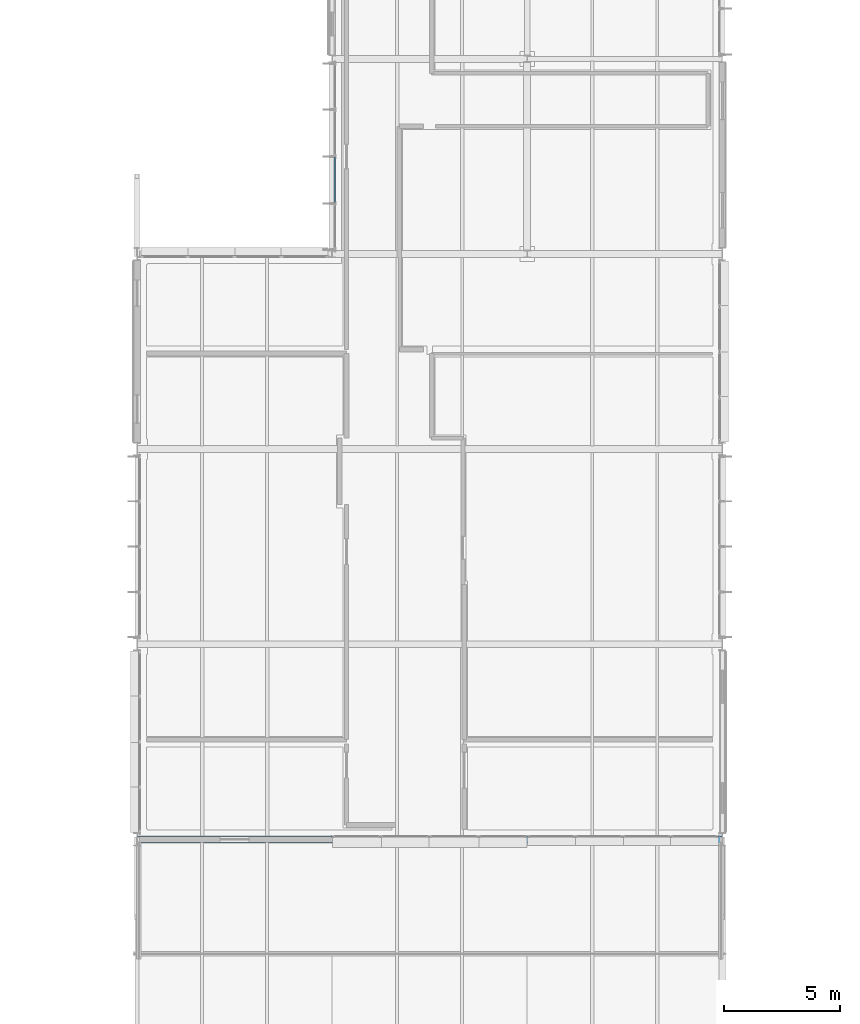
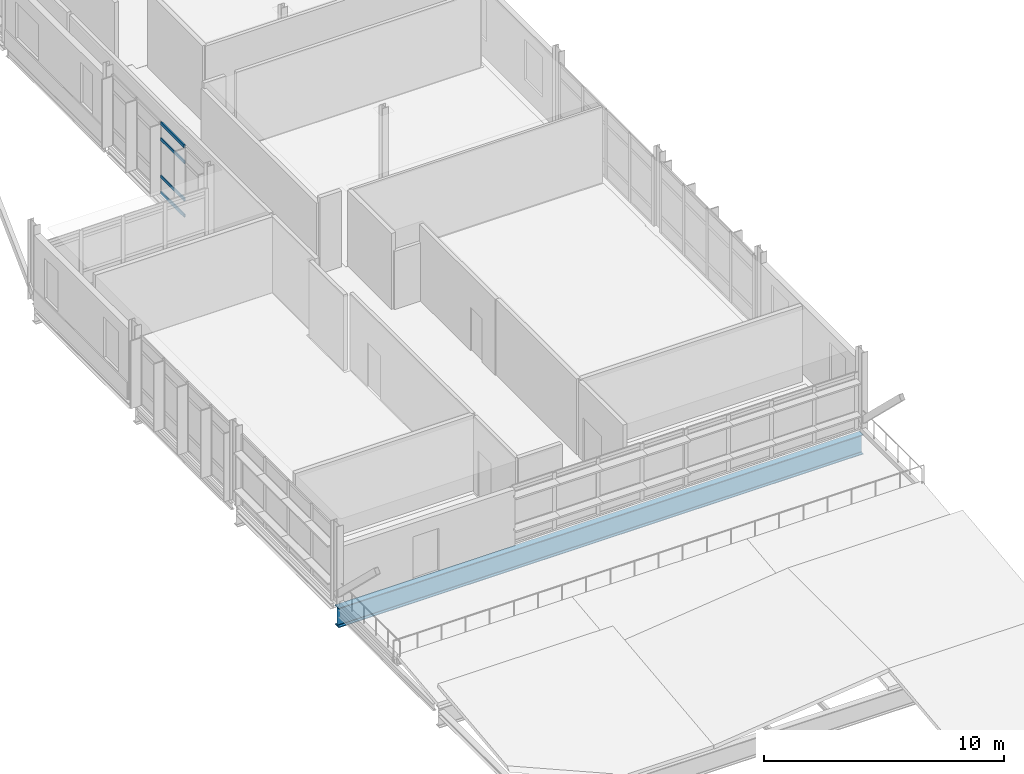
# One storey, part 32 of 103: 4 members, 1 beam, 1 element without a shape of its own.
"""IFC4 building model written with IfcOpenShell, lengths in metres."""

from ifc_helpers import new_model, si_unit, direction, frame, origin, origin_2d, place, context, subcontext, project, spatial, hollow_rectangle, i_section, extrude, material, material_profile, profile_set, type_object, element, aggregate, save


model = new_model("IFC4")

# Units and contexts
model_context = context("Model", 3, precision=1e-05, world=origin(), true_north=direction((0.0, 1.0)))
body_context = subcontext(model_context, "Body", "Model", "MODEL_VIEW")
ifc_project = project(units=[si_unit("LENGTHUNIT", "METRE"), si_unit("AREAUNIT", "SQUARE_METRE"), si_unit("VOLUMEUNIT", "CUBIC_METRE"), si_unit("PLANEANGLEUNIT", "RADIAN"), si_unit("MASSUNIT", "GRAM", prefix="KILO")], contexts=[model_context])

# Site, building, storey
site_placement = place(None, origin())
site = spatial("IfcSite", under=ifc_project, at=site_placement, CompositionType="ELEMENT")
building_placement = place(site_placement, origin())
building = spatial("IfcBuilding", under=site, at=building_placement, Name="Mersafa Astral City Hall", CompositionType="ELEMENT")
storey_placement = place(building_placement, frame((0.0, 0.0, 18.0)))
storey = spatial("IfcBuildingStorey", under=building, at=storey_placement, Name="L04", CompositionType="ELEMENT", Elevation=18.0)

# Curtain wall, members
ifc_material_1 = material(Name="Anodised bronze aluminium framing", Category="aluminium")
curtain_wall_type = type_object("IfcCurtainWallType", Name="ENV-CW-5", PredefinedType="USERDEFINED", material=ifc_material_1)
curtain_wall_placement = place(storey_placement, origin())
curtain_wall = element("IfcCurtainWall", 1, at=curtain_wall_placement, inside=storey, type_object=curtain_wall_type, Name="L04 Unitised solar curtain wall 208", ObjectType="UNITISED CURTAIN WALL", PredefinedType="USERDEFINED")
ifc_material_profile_1 = material_profile(ifc_material_1, hollow_rectangle(XDim=0.06005859375, YDim=0.159912109375, WallThickness=0.00390625, at=origin_2d()), Name="RHS 60x160x4")
ifc_profile_set_1 = profile_set([ifc_material_profile_1], Name="Anodised bronze aluminium framing")
member_type = type_object("IfcMemberType", Name="ENV-CW-TRN-2", PredefinedType="USERDEFINED", material=ifc_profile_set_1)
member_1_placement = place(storey_placement, frame((100.919921875, 96.570068359375, 0.028076171875), z_axis=(0.0, -1.0, 0.0), x_axis=(1.0, 0.0, 0.0)))
member_1 = element("IfcMember", 2, at=member_1_placement, type_object=member_type, Name="CW-5 transom 3.1", ObjectType="TRANSOM", PredefinedType="USERDEFINED", context=body_context, shape_type="SweptSolid", body=[
    extrude(hollow_rectangle(XDim=0.06005859375, YDim=0.159912109375, WallThickness=0.00390625, at=origin_2d()), origin(), (0.0, 0.0, 1.0), 1.958984375),
])
member_2_placement = place(storey_placement, frame((100.919921875, 96.570068359375, 0.85009765625), z_axis=(0.0, -1.0, 0.0), x_axis=(1.0, 0.0, 0.0)))
member_2 = element("IfcMember", 3, at=member_2_placement, type_object=member_type, Name="CW-5 transom 3.2", ObjectType="TRANSOM", PredefinedType="USERDEFINED", context=body_context, shape_type="SweptSolid", body=[
    extrude(hollow_rectangle(XDim=0.06005859375, YDim=0.159912109375, WallThickness=0.00390625, at=origin_2d()), origin(), (0.0, 0.0, 1.0), 1.958984375),
])
member_3_placement = place(storey_placement, frame((100.919921875, 96.570068359375, 2.75), z_axis=(0.0, -1.0, 0.0), x_axis=(1.0, 0.0, 0.0)))
member_3 = element("IfcMember", 4, at=member_3_placement, type_object=member_type, Name="CW-5 transom 3.3", ObjectType="TRANSOM", PredefinedType="USERDEFINED", context=body_context, shape_type="SweptSolid", body=[
    extrude(hollow_rectangle(XDim=0.06005859375, YDim=0.159912109375, WallThickness=0.00390625, at=origin_2d()), origin(), (0.0, 0.0, 1.0), 1.958984375),
])
member_4_placement = place(storey_placement, frame((100.919921875, 96.570068359375, 3.547119140625), z_axis=(0.0, -1.0, 0.0), x_axis=(1.0, 0.0, 0.0)))
member_4 = element("IfcMember", 5, at=member_4_placement, type_object=member_type, Name="CW-5 transom 3.4", ObjectType="TRANSOM", PredefinedType="USERDEFINED", context=body_context, shape_type="SweptSolid", body=[
    extrude(hollow_rectangle(XDim=0.06005859375, YDim=0.159912109375, WallThickness=0.00390625, at=origin_2d()), origin(), (0.0, 0.0, 1.0), 1.958984375),
])
aggregate(curtain_wall, [member_1, member_2, member_3, member_4])

# Beam
ifc_material_2 = material(Name="Steel S355", Category="steel")
ifc_material_profile_2 = material_profile(ifc_material_2, i_section(OverallWidth=0.300048828125, OverallDepth=1.0, WebThickness=0.01904296875, FlangeThickness=0.035888671875, FilletRadius=0.030029296875, at=origin_2d()), Name="HEB 1000")
ifc_profile_set_2 = profile_set([ifc_material_profile_2], Name="Steel S355")
beam_type = type_object("IfcBeamType", Name="STR-BM-PORTAL-HEB1000", PredefinedType="BEAM", material=ifc_profile_set_2)
beam_placement = place(storey_placement, frame((92.403076171875, 67.199951171875, -0.699951171875), z_axis=(1.0, 0.0, 0.0), x_axis=(0.0, 1.0, 0.0)))
element("IfcBeam", 6, at=beam_placement, inside=storey, type_object=beam_type, Name="L04 Public Service Hall clear-span portal girder 8", PredefinedType="BEAM", context=body_context, shape_type="SweptSolid", body=[
    extrude(i_section(OverallWidth=0.300048828125, OverallDepth=1.0, WebThickness=0.01904296875, FlangeThickness=0.035888671875, FilletRadius=0.030029296875, at=origin_2d()), origin(), (0.0, 0.0, 1.0), 25.19384765625),
])

save(model, "model.ifc")
